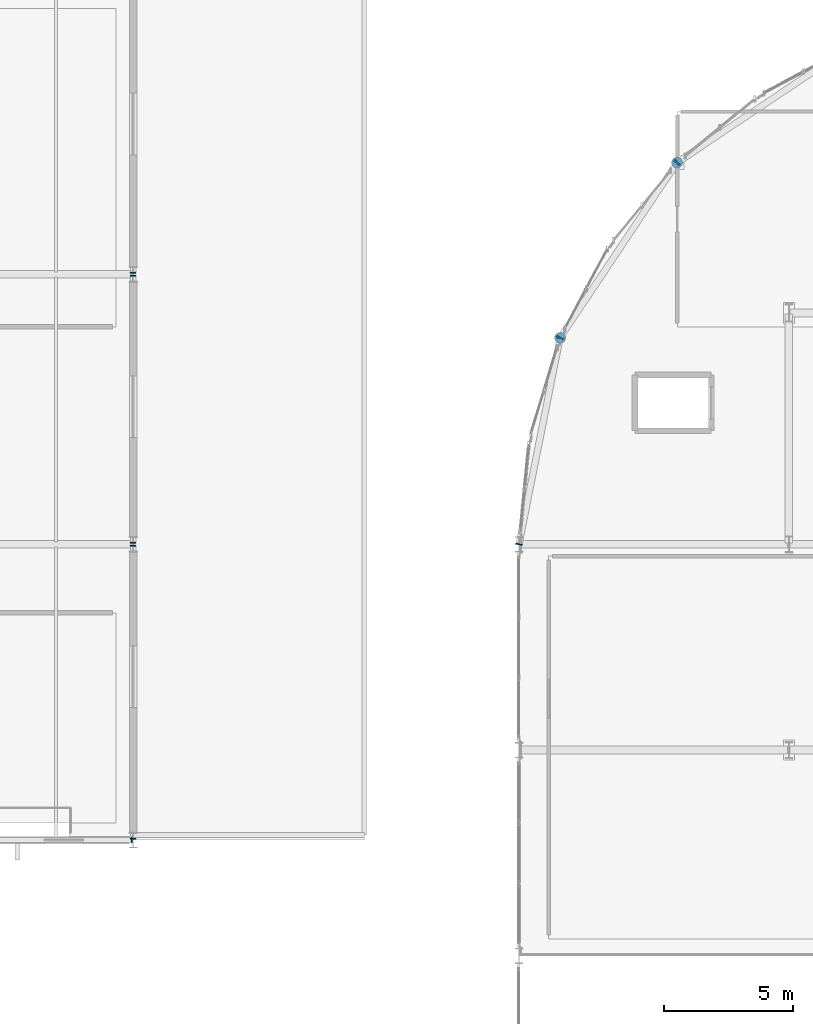
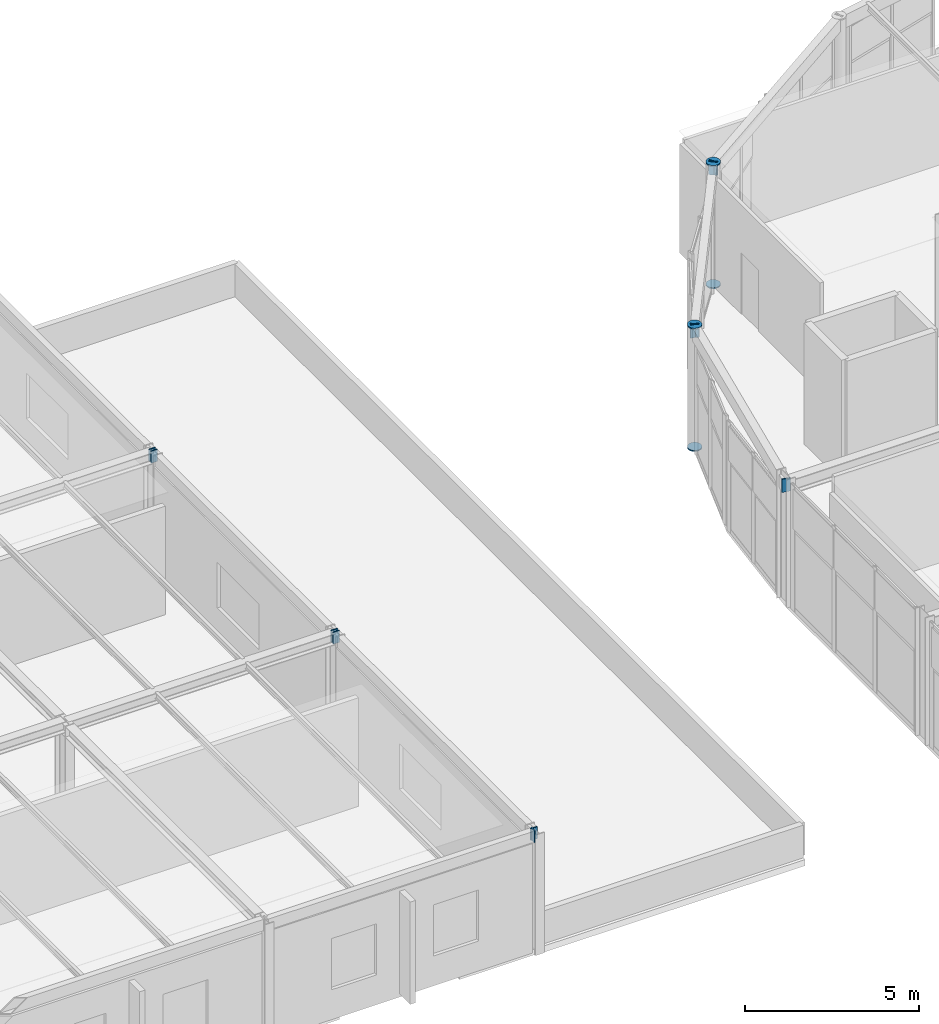
# One storey, part 75 of 105: 15 discrete accessories.
"""IFC4 building model written with IfcOpenShell, lengths in metres."""

from ifc_helpers import new_model, si_unit, direction, frame, origin, origin_2d, place, context, subcontext, project, spatial, rectangle, circle, extrude, material, element, save


model = new_model("IFC4")

# Units and contexts
model_context = context("Model", 3, precision=1e-05, world=origin(), true_north=direction((0.0, 1.0)))
body_context = subcontext(model_context, "Body", "Model", "MODEL_VIEW")
ifc_project = project(units=[si_unit("LENGTHUNIT", "METRE"), si_unit("AREAUNIT", "SQUARE_METRE"), si_unit("VOLUMEUNIT", "CUBIC_METRE"), si_unit("PLANEANGLEUNIT", "RADIAN"), si_unit("MASSUNIT", "GRAM", prefix="KILO")], contexts=[model_context])

# Site, building, storey
site_placement = place(None, origin())
site = spatial("IfcSite", under=ifc_project, at=site_placement, CompositionType="ELEMENT")
building_placement = place(site_placement, origin())
building = spatial("IfcBuilding", under=site, at=building_placement, Name="Marlcrest Central Station", CompositionType="ELEMENT")
storey_placement = place(building_placement, frame((0.0, 0.0, 15.0)))
storey = spatial("IfcBuildingStorey", under=building, at=storey_placement, Name="L03", CompositionType="ELEMENT", Elevation=15.0)

# Discrete accessories
ifc_material = material(Name="Steel S355", Category="steel")
for number, where, z_axis, x_axis, name in (
    (1, (71.925048828125, 99.0, 4.034912109375), (1.0, 0.0, 0.0), (0.0, 1.0, 0.0), "endcap-bm-SP-01-L03-00475-e"),
    (2, (72.0, 99.03515625, 4.034912109375), (0.0, 1.0, 0.0), (-1.0, 0.0, 0.0), "endcap-bm-SP-01-L03-00524-s"),
    (3, (72.0, 110.425048828125, 4.034912109375), (0.0, 1.0, 0.0), (-1.0, 0.0, 0.0), "endcap-bm-SP-01-L03-00524-e"),
    (4, (72.0, 110.53515625, 4.034912109375), (0.0, 1.0, 0.0), (-1.0, 0.0, 0.0), "endcap-bm-SP-01-L03-00525-s"),
    (5, (72.0, 120.925048828125, 4.034912109375), (0.0, 1.0, 0.0), (-1.0, 0.0, 0.0), "endcap-bm-SP-01-L03-00525-e"),
    (6, (72.0, 121.03515625, 4.034912109375), (0.0, 1.0, 0.0), (-1.0, 0.0, 0.0), "endcap-bm-SP-01-L03-00526-s"),
):
    element("IfcDiscreteAccessory", number, at=place(storey_placement, frame(where, z_axis=z_axis, x_axis=x_axis)), inside=storey, material=ifc_material, Name=name, ObjectType="END_CAP_PLATE", PredefinedType="BRACKET", context=body_context, shape_type="SweptSolid", body=[
        extrude(rectangle(XDim=0.216064453125, YDim=0.416015625, at=origin_2d()), origin(), (0.0, 0.0, 1.0), 0.0400390625),
    ])
for number, where, z_axis, x_axis, name in (
    (7, (88.59912109375, 118.535888671875, -0.014892578125), (0.0, 0.0, 1.0), (1.0, 0.0, 0.0), "endcap-col-SC-10-L03-0846-s"),
    (8, (88.59912109375, 118.535888671875, 4.28515625), (0.0, 0.0, 1.0), (1.0, 0.0, 0.0), "endcap-col-SC-10-L03-0846-e"),
    (9, (93.15087890625, 125.34912109375, -0.014892578125), (0.0, 0.0, 1.0), (1.0, 0.0, 0.0), "endcap-col-SC-10-L03-0850-s"),
    (10, (93.15087890625, 125.34912109375, 4.28515625), (0.0, 0.0, 1.0), (1.0, 0.0, 0.0), "endcap-col-SC-10-L03-0850-e"),
):
    element("IfcDiscreteAccessory", number, at=place(storey_placement, frame(where, z_axis=z_axis, x_axis=x_axis)), inside=storey, material=ifc_material, Name=name, ObjectType="END_CAP_PLATE", PredefinedType="BRACKET", context=body_context, shape_type="SweptSolid", body=[
        extrude(circle(Radius=0.211181640625, at=origin_2d()), origin(), (0.0, 0.0, 1.0), 0.0400390625),
    ])
for number, where, z_axis, x_axis, name in (
    (11, (86.9970703125, 110.4853515625, 4.10009765625), (0.19517056122, 0.980769316421, 0.0), (-0.980769316421, 0.19517056122, 0.0), "endcap-bm-SP-02-L03-01518-s"),
    (12, (88.59423828125, 118.511474609375, 4.10009765625), (0.19517056122, 0.980769316421, 0.0), (-0.980769316421, 0.19517056122, 0.0), "endcap-bm-SP-02-L03-01518-e"),
    (13, (88.5908203125, 118.5234375, 4.10009765625), (0.55551129271, 0.831508991937, 0.0), (-0.831508991937, 0.55551129271, 0.0), "endcap-bm-SP-02-L03-01519-s"),
    (14, (93.136962890625, 125.328369140625, 4.10009765625), (0.55551129271, 0.831508991937, 0.0), (-0.831508991937, 0.55551129271, 0.0), "endcap-bm-SP-02-L03-01519-e"),
    (15, (93.138427734375, 125.3408203125, 4.10009765625), (0.831508991937, 0.55551129271, 0.0), (-0.55551129271, 0.831508991937, 0.0), "endcap-bm-SP-02-L03-01520-s"),
):
    element("IfcDiscreteAccessory", number, at=place(storey_placement, frame(where, z_axis=z_axis, x_axis=x_axis)), inside=storey, material=ifc_material, Name=name, ObjectType="END_CAP_PLATE", PredefinedType="BRACKET", context=body_context, shape_type="SweptSolid", body=[
        extrude(rectangle(XDim=0.26611328125, YDim=0.466064453125, at=origin_2d()), origin(), (0.0, 0.0, 1.0), 0.0400390625),
    ])

save(model, "model.ifc")
